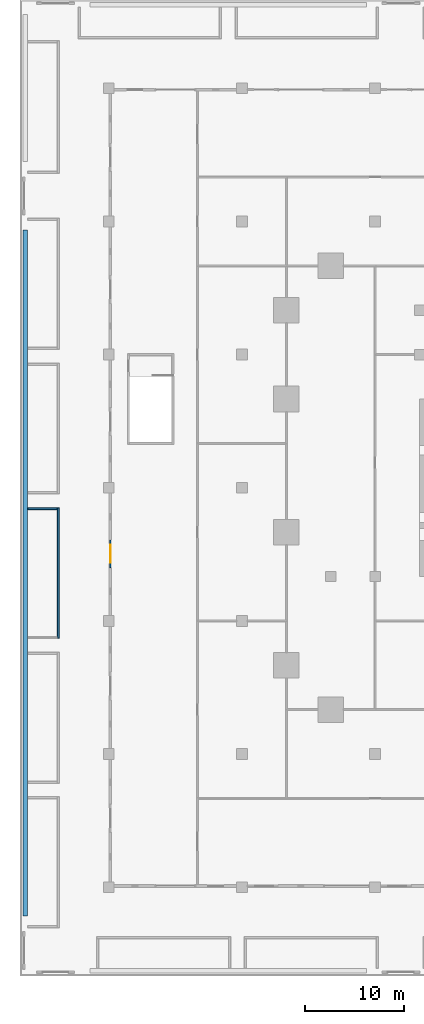
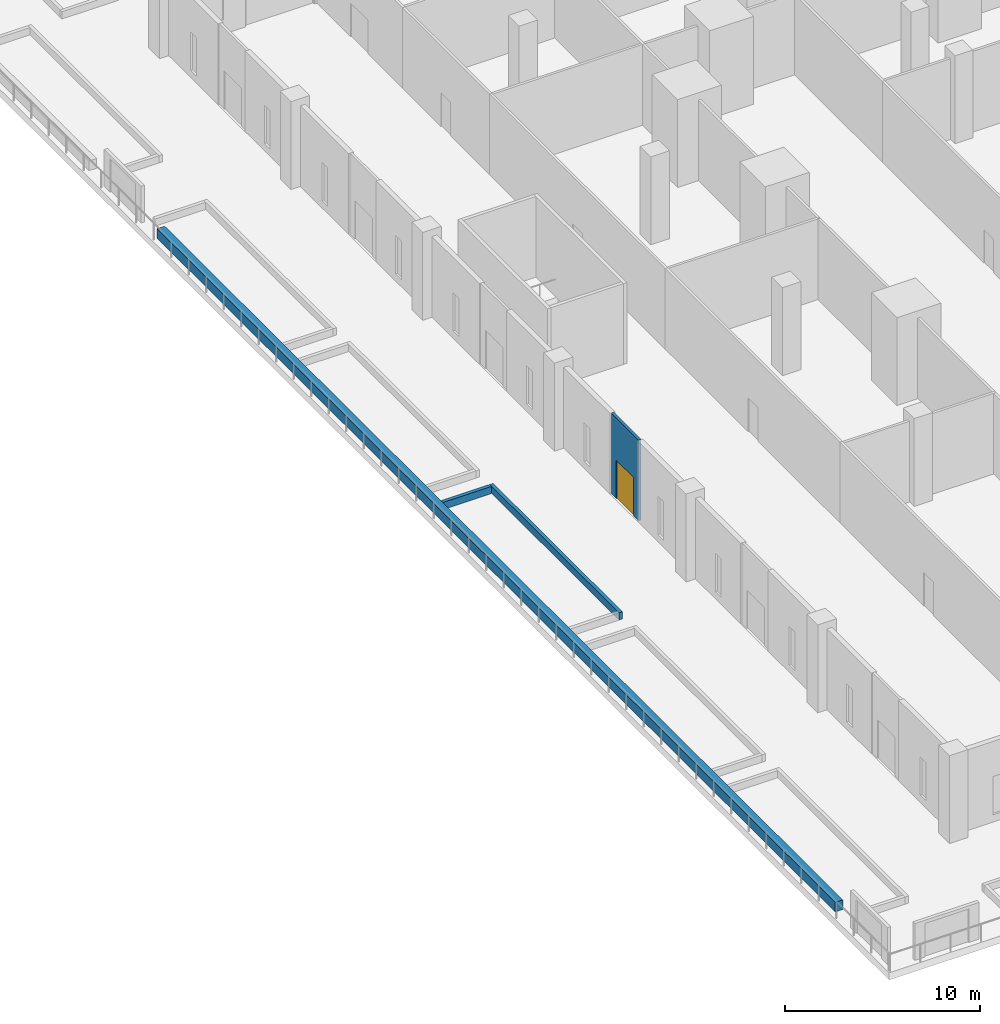
# One storey, part 23 of 47: 4 walls, 1 door, 1 opening.
"""IFC4 building model written with IfcOpenShell, lengths in metres."""

from ifc_helpers import new_model, si_unit, direction, frame, frame_2d, origin, place, context, subcontext, project, spatial, rectangle, extrude, material, layer, layer_set, type_object, element, fill, save


model = new_model("IFC4")

# Units and contexts
model_context = context("Model", 3, precision=1e-05, world=origin(), true_north=direction((0.0, 1.0)))
body_context = subcontext(model_context, "Body", "Model", "MODEL_VIEW")
ifc_project = project(units=[si_unit("LENGTHUNIT", "METRE"), si_unit("AREAUNIT", "SQUARE_METRE"), si_unit("VOLUMEUNIT", "CUBIC_METRE"), si_unit("PLANEANGLEUNIT", "RADIAN"), si_unit("MASSUNIT", "GRAM", prefix="KILO")], contexts=[model_context])

# Site, building, storey
site_placement = place(None, origin())
site = spatial("IfcSite", under=ifc_project, at=site_placement, CompositionType="ELEMENT")
building_placement = place(site_placement, origin())
building = spatial("IfcBuilding", under=site, at=building_placement, Name="Altepetl Exchange Towers", CompositionType="ELEMENT")
storey_placement = place(building_placement, frame((0.0, 0.0, 6.0)))
storey = spatial("IfcBuildingStorey", under=building, at=storey_placement, Name="L01 Retail podium", CompositionType="ELEMENT", Elevation=6.0)

# Wall, opening, door
ifc_material_1 = material(Name="Aluminium composite cladding", Category="aluminium")
ifc_layer_1 = layer(ifc_material_1, 0.14990234375)
ifc_layer_set_1 = layer_set([ifc_layer_1], Name="Aluminium composite cladding")
wall_type_1 = type_object("IfcWallType", Name="Infill wall 150 aluminium panel", PredefinedType="SOLIDWALL", material=ifc_layer_set_1)
wall_1_placement = place(storey_placement, frame((9.14990234375, 44.199951171875, 0.0), z_axis=(0.0, 0.0, 1.0), x_axis=(0.0, -1.0, 0.0)))
wall_1 = element("IfcWall", 1, at=wall_1_placement, inside=storey, type_object=wall_type_1, Name="Door bay wall", PredefinedType="SOLIDWALL", context=body_context, shape_type="SweptSolid", body=[
    extrude(rectangle(XDim=2.800048828125, YDim=0.14990234375, at=frame_2d((1.39990234375, 0.0))), origin(), (0.0, 0.0, 1.0), 5.050048828125),
])
opening_placement = place(wall_1_placement, frame((0.5, 0.0, 0.0)))
opening = element("IfcOpeningElement", 2, at=opening_placement, cuts=wall_1, Name="Opening L01.E07", PredefinedType="OPENING", context=body_context, shape_type="SweptSolid", body=[
    extrude(rectangle(XDim=1.800048828125, YDim=2.39990234375, at=frame_2d((0.89990234375, 1.199951171875))), frame((0.0, 0.0849609375, 0.0), z_axis=(0.0, -1.0, 0.0), x_axis=(1.0, 0.0, 0.0)), (0.0, 0.0, 1.0), 0.169921875),
])
ifc_material_2 = material(Name="Aluminium 6063-T6 and glass", Category="aluminium")
door_type = type_object("IfcDoorType", Name="Glazed door pair 1800x2400", OperationType="DOUBLE_DOOR_DOUBLE_SWING", PredefinedType="NOTDEFINED", material=ifc_material_2)
door_placement = place(opening_placement, frame((1.800048828125, 0.0, 0.0), x_axis=(-1.0, 0.0, 0.0)))
door = element("IfcDoor", 3, at=door_placement, inside=storey, type_object=door_type, Name="Terrace door", OperationType="DOUBLE_DOOR_DOUBLE_SWING", OverallHeight=2.39990234375, OverallWidth=1.800048828125, PredefinedType="NOTDEFINED", context=body_context, shape_type="SweptSolid", body=[
    extrude(rectangle(XDim=1.800048828125, YDim=2.39990234375, at=frame_2d((0.89990234375, 1.199951171875))), frame((0.0, 0.02490234375, 0.0), z_axis=(0.0, -1.0, 0.0), x_axis=(1.0, 0.0, 0.0)), (0.0, 0.0, 1.0), 0.050048828125),
])
fill(opening, door)

# Walls
ifc_material_3 = material(Name="Concrete C30/37", Category="concrete")
ifc_layer_2 = layer(ifc_material_3, 0.449951171875)
ifc_layer_set_2 = layer_set([ifc_layer_2], Name="Concrete C30/37")
wall_type_2 = type_object("IfcWallType", Name="Planter wall 450 concrete", PredefinedType="SOLIDWALL", material=ifc_layer_set_2)
wall_2_placement = place(storey_placement, frame((0.550048828125, 75.607421875, 0.0), z_axis=(0.0, 0.0, 1.0), x_axis=(0.0, -1.0, 0.0)))
element("IfcWall", 4, at=wall_2_placement, inside=storey, type_object=wall_type_2, Name="Planter bed wall", PredefinedType="SOLIDWALL", context=body_context, shape_type="SweptSolid", body=[
    extrude(rectangle(XDim=69.514892578125, YDim=0.449951171875, at=frame_2d((34.75732421875, 0.0))), origin(), (0.0, 0.0, 1.0), 0.60009765625),
])
ifc_material_4 = material(Name="Reinforced concrete C35/45", Category="concrete")
ifc_layer_3 = layer(ifc_material_4, 0.199951171875)
ifc_layer_set_3 = layer_set([ifc_layer_3], Name="Reinforced concrete C35/45")
wall_type_3 = type_object("IfcWallType", Name="Planting bed curb 200", PredefinedType="SOLIDWALL", material=ifc_layer_set_3)
wall_3_placement = place(storey_placement, frame((3.875, 34.219970703125, 0.0), z_axis=(0.0, 0.0, 1.0), x_axis=(0.0, 1.0, 0.0)))
element("IfcWall", 5, at=wall_3_placement, inside=storey, type_object=wall_type_3, Name="wall:P:L01:CB24e", PredefinedType="SOLIDWALL", context=body_context, shape_type="SweptSolid", body=[
    extrude(rectangle(XDim=13.260009765625, YDim=0.199951171875, at=frame_2d((6.6298828125, 0.0))), origin(), (0.0, 0.0, 1.0), 0.449951171875),
])
wall_4_placement = place(storey_placement, frame((0.77490234375, 47.3798828125, 0.0)))
element("IfcWall", 6, at=wall_4_placement, inside=storey, type_object=wall_type_3, Name="wall:P:L01:CB24n", PredefinedType="SOLIDWALL", context=body_context, shape_type="SweptSolid", body=[
    extrude(rectangle(XDim=3.0, YDim=0.199951171875, at=frame_2d((1.5, 0.0))), origin(), (0.0, 0.0, 1.0), 0.449951171875),
])

save(model, "model.ifc")
